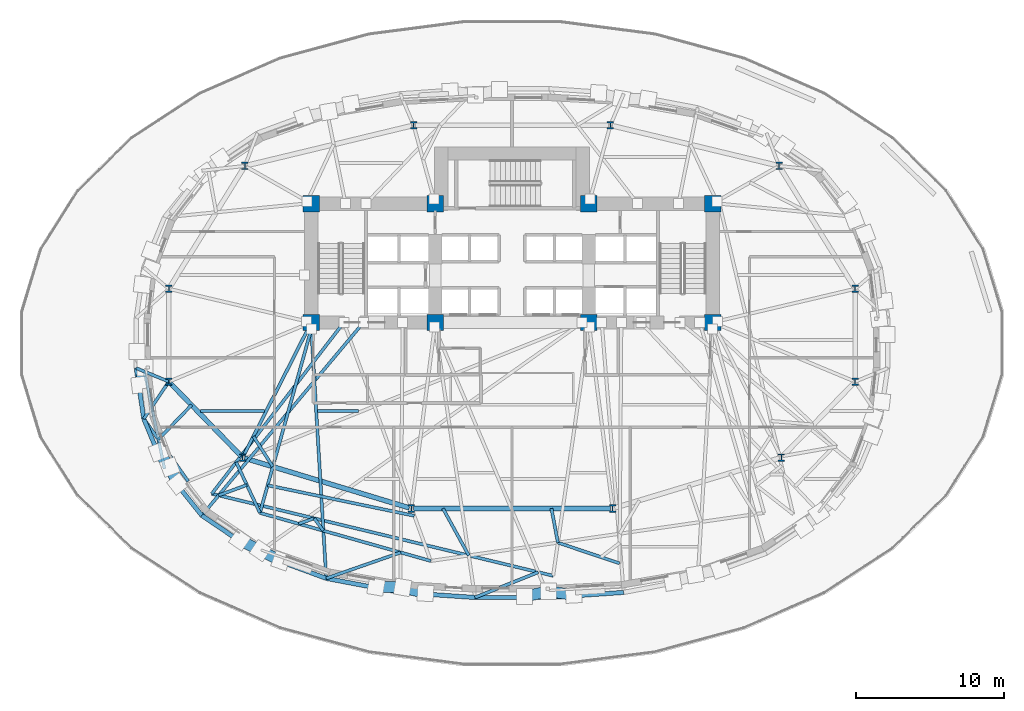
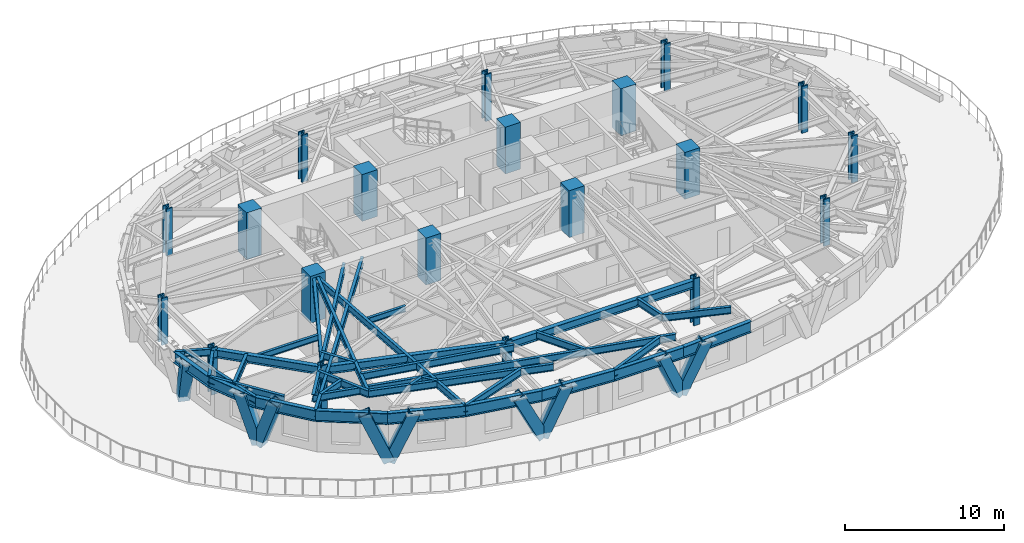
# One storey, part 1 of 14: 37 beams, 20 columns, 9 members.
"""IFC4 building model written with IfcOpenShell, lengths in metres."""

from ifc_helpers import new_model, si_unit, direction, frame, origin, origin_2d, place, context, subcontext, project, spatial, rectangle, hollow_rectangle, i_section, extrude, material, material_profile, profile_set, type_object, element, save


model = new_model("IFC4")

# Units and contexts
model_context = context("Model", 3, precision=1e-05, world=origin(), true_north=direction((0.0, 1.0)))
body_context = subcontext(model_context, "Body", "Model", "MODEL_VIEW")
ifc_project = project(units=[si_unit("LENGTHUNIT", "METRE"), si_unit("AREAUNIT", "SQUARE_METRE"), si_unit("VOLUMEUNIT", "CUBIC_METRE"), si_unit("PLANEANGLEUNIT", "RADIAN"), si_unit("MASSUNIT", "GRAM", prefix="KILO")], contexts=[model_context])

# Site, building, storey
site_placement = place(None, origin())
site = spatial("IfcSite", under=ifc_project, at=site_placement, CompositionType="ELEMENT")
building_placement = place(site_placement, origin())
building = spatial("IfcBuilding", under=site, at=building_placement, Name="Keldmark Tower", CompositionType="ELEMENT")
storey_placement = place(building_placement, frame((0.0, 0.0, 27.0)))
storey = spatial("IfcBuildingStorey", under=building, at=storey_placement, Name="L06", CompositionType="ELEMENT", Elevation=27.0)

# Columns
ifc_material_1 = material(Name="Concrete C70/85", Category="concrete")
ifc_material_profile_1 = material_profile(ifc_material_1, rectangle(XDim=1.10009765625, YDim=1.10009765625, at=origin_2d()), Name="RC1100X1100")
ifc_profile_set_1 = profile_set([ifc_material_profile_1], Name="Concrete C70/85")
column_type_1 = type_object("IfcColumnType", Name="Core Boundary Column RC1100", PredefinedType="COLUMN", material=ifc_profile_set_1)
for number, where, z_axis, x_axis, name in (
    (1, (-13.60009765625, 1.39990234375, 0.0), (0.0, 0.0, 1.0), (1.0, 0.0, 0.0), "L06 Core Boundary Column CC-W1"),
    (2, (-13.60009765625, 9.449951171875, 0.0), (0.0, 0.0, 1.0), (1.0, 0.0, 0.0), "L06 Core Boundary Column CC-W2"),
    (3, (-5.199951171875, 1.39990234375, 0.0), (0.0, 0.0, 1.0), (1.0, 0.0, 0.0), "L06 Core Boundary Column CC-W3"),
    (4, (-5.199951171875, 9.449951171875, 0.0), (0.0, 0.0, 1.0), (1.0, 0.0, 0.0), "L06 Core Boundary Column CC-W4"),
    (5, (5.199951171875, 1.39990234375, 0.0), (0.0, 0.0, 1.0), (1.0, 0.0, 0.0), "L06 Core Boundary Column CC-E1"),
    (6, (5.199951171875, 9.449951171875, 0.0), (0.0, 0.0, 1.0), (1.0, 0.0, 0.0), "L06 Core Boundary Column CC-E2"),
    (7, (13.60009765625, 1.39990234375, 0.0), (0.0, 0.0, 1.0), (1.0, 0.0, 0.0), "L06 Core Boundary Column CC-E3"),
    (8, (13.60009765625, 9.449951171875, 0.0), (0.0, 0.0, 1.0), (1.0, 0.0, 0.0), "L06 Core Boundary Column CC-E4"),
):
    element("IfcColumn", number, at=place(storey_placement, frame(where, z_axis=z_axis, x_axis=x_axis)), inside=storey, type_object=column_type_1, Name=name, PredefinedType="COLUMN", context=body_context, shape_type="SweptSolid", body=[
        extrude(rectangle(XDim=1.10009765625, YDim=1.10009765625, at=origin_2d()), origin(), (0.0, 0.0, 1.0), 3.60009765625),
    ])
ifc_material_2 = material(Name="Steel ASTM A992 Grade 50", Category="steel")
ifc_material_profile_2 = material_profile(ifc_material_2, i_section(OverallWidth=0.43701171875, OverallDepth=0.513916015625, WebThickness=0.060546875, FlangeThickness=0.096923828125, at=origin_2d()), Name="W14X550")
ifc_profile_set_2 = profile_set([ifc_material_profile_2], Name="Steel ASTM A992 Grade 50")
column_type_2 = type_object("IfcColumnType", Name="Tower Gravity Column W14X550", PredefinedType="COLUMN", material=ifc_profile_set_2)
for number, where, z_axis, x_axis, name in (
    (9, (23.25390625, 3.67724609375, 0.0), (0.0, 0.0, 1.0), (1.0, 0.0, 0.0), "L06 Tower Gravity Column TC-E1"),
    (10, (18.09765625, 12.00732421875, 0.0), (0.0, 0.0, 1.0), (1.0, 0.0, 0.0), "L06 Tower Gravity Column TC-E4"),
    (11, (6.6650390625, 14.760009765625, 0.0), (0.0, 0.0, 1.0), (1.0, 0.0, 0.0), "L06 Tower Gravity Column TC-N2"),
    (12, (-6.6650390625, 14.760009765625, 0.0), (0.0, 0.0, 1.0), (1.0, 0.0, 0.0), "L06 Tower Gravity Column TC-N1"),
    (13, (-18.09765625, 12.00732421875, 0.0), (0.0, 0.0, 1.0), (1.0, 0.0, 0.0), "L06 Tower Gravity Column TC-W4"),
    (14, (-23.25390625, 3.67724609375, 0.0), (0.0, 0.0, 1.0), (1.0, 0.0, 0.0), "L06 Tower Gravity Column TC-W1"),
    (15, (-23.25390625, -2.61328125, 0.0), (0.0, 0.0, 1.0), (1.0, 0.0, 0.0), "L06 Tower Gravity Column TC-W5"),
    (16, (-18.252685546875, -7.755615234375, 0.0), (0.0, 0.0, 1.0), (1.0, 0.0, 0.0), "L06 Tower Gravity Column TC-W2"),
    (17, (-6.822021484375, -11.205810546875, 0.0), (0.0, 0.0, 1.0), (1.0, 0.0, 0.0), "L06 Tower Gravity Column TC-W3"),
    (18, (6.822021484375, -11.205810546875, 0.0), (0.0, 0.0, 1.0), (1.0, 0.0, 0.0), "L06 Tower Gravity Column TC-E3"),
    (19, (18.252685546875, -7.755615234375, 0.0), (0.0, 0.0, 1.0), (1.0, 0.0, 0.0), "L06 Tower Gravity Column TC-E2"),
    (20, (23.25390625, -2.61328125, 0.0), (0.0, 0.0, 1.0), (1.0, 0.0, 0.0), "L06 Tower Gravity Column TC-E5"),
):
    element("IfcColumn", number, at=place(storey_placement, frame(where, z_axis=z_axis, x_axis=x_axis)), inside=storey, type_object=column_type_2, Name=name, PredefinedType="COLUMN", context=body_context, shape_type="SweptSolid", body=[
        extrude(i_section(OverallWidth=0.43701171875, OverallDepth=0.513916015625, WebThickness=0.060546875, FlangeThickness=0.096923828125, at=origin_2d()), origin(), (0.0, 0.0, 1.0), 3.60009765625),
    ])

# Beams
ifc_material_3 = material(Name="Steel ASTM A992 Grade 50", Category="steel")
ifc_material_profile_3 = material_profile(ifc_material_3, i_section(OverallWidth=0.19091796875, OverallDepth=0.45703125, WebThickness=0.009033203125, FlangeThickness=0.014404296875, at=origin_2d()), Name="W18X50")
ifc_profile_set_3 = profile_set([ifc_material_profile_3], Name="Steel ASTM A992 Grade 50")
beam_type_1 = type_object("IfcBeamType", Name="Composite Floor Joist W18X50", PredefinedType="JOIST", material=ifc_profile_set_3)
beam_1_placement = place(storey_placement, frame((-21.1064453125, -4.60009765625, 3.17138671875), z_axis=(1.0, 0.0, 0.0), x_axis=(0.0, 1.0, 0.0)))
element("IfcBeam", 21, at=beam_1_placement, inside=storey, type_object=beam_type_1, Name="L06 Composite Floor Joist J08", PredefinedType="JOIST", context=body_context, shape_type="SweptSolid", body=[
    extrude(i_section(OverallWidth=0.19091796875, OverallDepth=0.45703125, WebThickness=0.009033203125, FlangeThickness=0.014404296875, at=origin_2d()), origin(), (0.0, 0.0, 1.0), 4.3466796875),
])
beam_2_placement = place(storey_placement, frame((-13.170654296875, -4.60009765625, 3.17138671875), z_axis=(1.0, 0.0, 0.0), x_axis=(0.0, 1.0, 0.0)))
element("IfcBeam", 22, at=beam_2_placement, inside=storey, type_object=beam_type_1, Name="L06 Composite Floor Joist J09", PredefinedType="JOIST", context=body_context, shape_type="SweptSolid", body=[
    extrude(i_section(OverallWidth=0.19091796875, OverallDepth=0.45703125, WebThickness=0.009033203125, FlangeThickness=0.014404296875, at=origin_2d()), origin(), (0.0, 0.0, 1.0), 2.77685546875),
])

# Members
ifc_material_4 = material(Name="Steel ASTM A572 Grade 50", Category="steel")
ifc_material_profile_4 = material_profile(ifc_material_4, hollow_rectangle(XDim=0.75, YDim=0.75, WallThickness=0.06494140625, at=origin_2d()), Name="BOX750X750X65")
ifc_profile_set_4 = profile_set([ifc_material_profile_4], Name="Steel ASTM A572 Grade 50")
member_type = type_object("IfcMemberType", Name="Diagrid Lower Brace BOX750X750X65", PredefinedType="BRACE", material=ifc_profile_set_4)
member_1_placement = place(storey_placement, frame((-24.870361328125, -1.65625, -0.35009765625), z_axis=(-0.093751320999, -0.307239383491, 0.94700298365), x_axis=(0.956462321707, -0.291855832826, 0.0)))
element("IfcMember", 23, at=member_1_placement, inside=storey, type_object=member_type, Name="L06 Perimeter Diagrid Brace 09A", PredefinedType="BRACE", context=body_context, shape_type="SweptSolid", body=[
    extrude(hollow_rectangle(XDim=0.75, YDim=0.75, WallThickness=0.06494140625, at=origin_2d()), origin(), (0.0, 0.0, 1.0), 3.833251953125),
])
member_2_placement = place(storey_placement, frame((-23.19873046875, -8.397216796875, -0.35009765625), z_axis=(-0.197021500284, 0.266502512462, 0.943482347094), x_axis=(-0.804116453603, -0.594471806771, 0.0)))
element("IfcMember", 24, at=member_2_placement, inside=storey, type_object=member_type, Name="L06 Perimeter Diagrid Brace 09B", PredefinedType="BRACE", context=body_context, shape_type="SweptSolid", body=[
    extrude(hollow_rectangle(XDim=0.75, YDim=0.75, WallThickness=0.06494140625, at=origin_2d()), origin(), (0.0, 0.0, 1.0), 3.84765625),
])
member_3_placement = place(storey_placement, frame((-23.203125, -8.38623046875, -0.35009765625), z_axis=(0.143542674884, -0.301097245153, 0.942727929706), x_axis=(0.902670706302, 0.430331960217, 0.0)))
element("IfcMember", 25, at=member_3_placement, inside=storey, type_object=member_type, Name="L06 Perimeter Diagrid Brace 10A", PredefinedType="BRACE", context=body_context, shape_type="SweptSolid", body=[
    extrude(hollow_rectangle(XDim=0.75, YDim=0.75, WallThickness=0.06494140625, at=origin_2d()), origin(), (0.0, 0.0, 1.0), 3.8505859375),
])
member_4_placement = place(storey_placement, frame((-17.050048828125, -14.063720703125, -0.35009765625), z_axis=(-0.355655807646, 0.182297490589, 0.916666008649), x_axis=(-0.456138130633, -0.889908987359, 0.0)))
element("IfcMember", 26, at=member_4_placement, inside=storey, type_object=member_type, Name="L06 Perimeter Diagrid Brace 10B", PredefinedType="BRACE", context=body_context, shape_type="SweptSolid", body=[
    extrude(hollow_rectangle(XDim=0.75, YDim=0.75, WallThickness=0.06494140625, at=origin_2d()), origin(), (0.0, 0.0, 1.0), 3.960205078125),
])
member_5_placement = place(storey_placement, frame((-17.058349609375, -14.055419921875, -0.35009765625), z_axis=(0.354673875279, -0.176842962883, 0.918113832089), x_axis=(0.44621618645, 0.894925200757, 0.0)))
element("IfcMember", 27, at=member_5_placement, inside=storey, type_object=member_type, Name="L06 Perimeter Diagrid Brace 11A", PredefinedType="BRACE", context=body_context, shape_type="SweptSolid", body=[
    extrude(hollow_rectangle(XDim=0.75, YDim=0.75, WallThickness=0.06494140625, at=origin_2d()), origin(), (0.0, 0.0, 1.0), 3.953857421875),
])
member_6_placement = place(storey_placement, frame((-7.41162109375, -16.5498046875, -0.35009765625), z_axis=(-0.444430691649, 0.006506508702, 0.895789610157), x_axis=(-0.014638528929, -0.999892850995, 0.0)))
element("IfcMember", 28, at=member_6_placement, inside=storey, type_object=member_type, Name="L06 Perimeter Diagrid Brace 11B", PredefinedType="BRACE", context=body_context, shape_type="SweptSolid", body=[
    extrude(hollow_rectangle(XDim=0.75, YDim=0.75, WallThickness=0.06494140625, at=origin_2d()), origin(), (0.0, 0.0, 1.0), 4.052490234375),
])
member_7_placement = place(storey_placement, frame((-7.422607421875, -16.545166015625, -0.35009765625), z_axis=(0.392461171818, -0.10211121654, 0.91408288906), x_axis=(0.251798563078, 0.967779666883, 0.0)))
element("IfcMember", 29, at=member_7_placement, inside=storey, type_object=member_type, Name="L06 Perimeter Diagrid Brace 12A", PredefinedType="BRACE", context=body_context, shape_type="SweptSolid", body=[
    extrude(hollow_rectangle(XDim=0.75, YDim=0.75, WallThickness=0.06494140625, at=origin_2d()), origin(), (0.0, 0.0, 1.0), 3.971435546875),
])
member_8_placement = place(storey_placement, frame((2.461181640625, -16.81591796875, -0.35009765625), z_axis=(-0.405715691944, -0.090770705087, 0.909480871931), x_axis=(0.218332240708, -0.975874496371, 0.0)))
element("IfcMember", 30, at=member_8_placement, inside=storey, type_object=member_type, Name="L06 Perimeter Diagrid Brace 12B", PredefinedType="BRACE", context=body_context, shape_type="SweptSolid", body=[
    extrude(hollow_rectangle(XDim=0.75, YDim=0.75, WallThickness=0.06494140625, at=origin_2d()), origin(), (0.0, 0.0, 1.0), 3.991455078125),
])
member_9_placement = place(storey_placement, frame((2.449462890625, -16.81591796875, -0.35009765625), z_axis=(0.431270972672, -0.061324746676, 0.900135891727), x_axis=(0.140779272948, 0.990041007387, 0.0)))
element("IfcMember", 31, at=member_9_placement, inside=storey, type_object=member_type, Name="L06 Perimeter Diagrid Brace 13A", PredefinedType="BRACE", context=body_context, shape_type="SweptSolid", body=[
    extrude(hollow_rectangle(XDim=0.75, YDim=0.75, WallThickness=0.06494140625, at=origin_2d()), origin(), (0.0, 0.0, 1.0), 4.032958984375),
])

# Beams
ifc_material_5 = material(Name="Steel ASTM A992 Grade 50", Category="steel")
ifc_material_profile_5 = material_profile(ifc_material_5, i_section(OverallWidth=0.323974609375, OverallDepth=0.611083984375, WebThickness=0.0126953125, FlangeThickness=0.01904296875, at=origin_2d()), Name="W24X104")
ifc_profile_set_5 = profile_set([ifc_material_profile_5], Name="Steel ASTM A992 Grade 50")
beam_type_2 = type_object("IfcBeamType", Name="Primary Floor Girder W24X104", PredefinedType="BEAM", material=ifc_profile_set_5)
beam_3_placement = place(storey_placement, frame((-23.156494140625, -2.713623046875, 3.094482421875), z_axis=(0.697210382268, -0.716866572563, 0.0), x_axis=(0.716866572563, 0.697210382268, 0.0)))
element("IfcBeam", 32, at=beam_3_placement, inside=storey, type_object=beam_type_2, Name="L06 Floor Ring Girder FG-R07", PredefinedType="BEAM", context=body_context, shape_type="SweptSolid", body=[
    extrude(i_section(OverallWidth=0.323974609375, OverallDepth=0.611083984375, WebThickness=0.0126953125, FlangeThickness=0.01904296875, at=origin_2d()), origin(), (0.0, 0.0, 1.0), 6.893310546875),
])
beam_4_placement = place(storey_placement, frame((-18.118896484375, -7.796142578125, 3.094482421875), z_axis=(0.957346071406, -0.2889437654, 0.0), x_axis=(0.2889437654, 0.957346071406, 0.0)))
element("IfcBeam", 33, at=beam_4_placement, inside=storey, type_object=beam_type_2, Name="L06 Floor Ring Girder FG-R08", PredefinedType="BEAM", context=body_context, shape_type="SweptSolid", body=[
    extrude(i_section(OverallWidth=0.323974609375, OverallDepth=0.611083984375, WebThickness=0.0126953125, FlangeThickness=0.01904296875, at=origin_2d()), origin(), (0.0, 0.0, 1.0), 11.66015625),
])
beam_5_placement = place(storey_placement, frame((-6.68212890625, -11.205810546875, 3.094482421875), z_axis=(1.0, 0.0, 0.0), x_axis=(0.0, 1.0, 0.0)))
element("IfcBeam", 34, at=beam_5_placement, inside=storey, type_object=beam_type_2, Name="L06 Floor Ring Girder FG-R09", PredefinedType="BEAM", context=body_context, shape_type="SweptSolid", body=[
    extrude(i_section(OverallWidth=0.323974609375, OverallDepth=0.611083984375, WebThickness=0.0126953125, FlangeThickness=0.01904296875, at=origin_2d()), origin(), (0.0, 0.0, 1.0), 13.3642578125),
])
ifc_material_6 = material(Name="Steel ASTM A992 Grade 50", Category="steel")
ifc_material_profile_6 = material_profile(ifc_material_6, i_section(OverallWidth=0.2099609375, OverallDepth=0.537109375, WebThickness=0.010986328125, FlangeThickness=0.017333984375, at=origin_2d()), Name="W21X68")
ifc_profile_set_6 = profile_set([ifc_material_profile_6], Name="Steel ASTM A992 Grade 50")
beam_type_3 = type_object("IfcBeamType", Name="Radial Tie Girder W21X68", PredefinedType="BEAM", material=ifc_profile_set_6)
beam_6_placement = place(storey_placement, frame((-17.522705078125, -6.319091796875, 3.131591796875), z_axis=(0.539720655924, -0.841844174161, 0.0), x_axis=(0.841844174161, 0.539720655924, 0.0)))
element("IfcBeam", 35, at=beam_6_placement, inside=storey, type_object=beam_type_3, Name="L06 Framing Pin Header PH-001", PredefinedType="BEAM", context=body_context, shape_type="SweptSolid", body=[
    extrude(i_section(OverallWidth=0.2099609375, OverallDepth=0.537109375, WebThickness=0.010986328125, FlangeThickness=0.017333984375, at=origin_2d()), origin(), (0.0, 0.0, 1.0), 2.4404296875),
])
beam_7_placement = place(storey_placement, frame((-13.60009765625, 0.949951171875, 3.131591796875), z_axis=(-0.269145999523, -0.963099387883, 0.0), x_axis=(0.963099387883, -0.269145999523, 0.0)))
element("IfcBeam", 36, at=beam_7_placement, inside=storey, type_object=beam_type_3, Name="L06 Sub-Ring Step Girder STP1-M08", PredefinedType="BEAM", context=body_context, shape_type="SweptSolid", body=[
    extrude(i_section(OverallWidth=0.2099609375, OverallDepth=0.537109375, WebThickness=0.010986328125, FlangeThickness=0.017333984375, at=origin_2d()), origin(), (0.0, 0.0, 1.0), 12.931640625),
])
beam_8_placement = place(storey_placement, frame((-16.558349609375, -9.63623046875, 3.131591796875), z_axis=(0.979072569005, -0.203511436098, 0.0), x_axis=(0.203511436098, 0.979072569005, 0.0)))
element("IfcBeam", 37, at=beam_8_placement, inside=storey, type_object=beam_type_3, Name="L06 Framing Pin Header PH-002", PredefinedType="BEAM", context=body_context, shape_type="SweptSolid", body=[
    extrude(i_section(OverallWidth=0.2099609375, OverallDepth=0.537109375, WebThickness=0.010986328125, FlangeThickness=0.017333984375, at=origin_2d()), origin(), (0.0, 0.0, 1.0), 10.150146484375),
])
beam_9_placement = place(storey_placement, frame((-17.08056640625, -11.50439453125, 3.131591796875), z_axis=(0.962623317142, -0.270843772856, 0.0), x_axis=(0.270843772856, 0.962623317142, 0.0)))
element("IfcBeam", 38, at=beam_9_placement, inside=storey, type_object=beam_type_3, Name="L06 Perimeter Collector Ring Beam CRG1-M08", PredefinedType="BEAM", context=body_context, shape_type="SweptSolid", body=[
    extrude(i_section(OverallWidth=0.2099609375, OverallDepth=0.537109375, WebThickness=0.010986328125, FlangeThickness=0.017333984375, at=origin_2d()), origin(), (0.0, 0.0, 1.0), 12.02392578125),
])
beam_10_placement = place(storey_placement, frame((-17.08056640625, -11.50439453125, 3.131591796875), z_axis=(-0.424395961303, 0.905476707613, 0.0), x_axis=(-0.905476707613, -0.424395961303, 0.0)))
element("IfcBeam", 39, at=beam_10_placement, inside=storey, type_object=beam_type_3, Name="L06 Framing Pin Header PH-004", PredefinedType="BEAM", context=body_context, shape_type="SweptSolid", body=[
    extrude(i_section(OverallWidth=0.2099609375, OverallDepth=0.537109375, WebThickness=0.010986328125, FlangeThickness=0.017333984375, at=origin_2d()), origin(), (0.0, 0.0, 1.0), 3.79443359375),
])
beam_11_placement = place(storey_placement, frame((-11.392822265625, 1.39990234375, 3.131591796875), z_axis=(-0.610472152926, -0.792037720378, 0.0), x_axis=(0.792037720378, -0.610472152926, 0.0)))
element("IfcBeam", 40, at=beam_11_placement, inside=storey, type_object=beam_type_3, Name="L06 Sub-Ring Step Girder STP2-M08", PredefinedType="BEAM", context=body_context, shape_type="SweptSolid", body=[
    extrude(i_section(OverallWidth=0.2099609375, OverallDepth=0.537109375, WebThickness=0.010986328125, FlangeThickness=0.017333984375, at=origin_2d()), origin(), (0.0, 0.0, 1.0), 14.65380859375),
])
beam_12_placement = place(storey_placement, frame((2.6728515625, -11.205810546875, 3.131591796875), z_axis=(0.186072991405, -0.982535923959, 0.0), x_axis=(0.982535923959, 0.186072991405, 0.0)))
element("IfcBeam", 41, at=beam_12_placement, inside=storey, type_object=beam_type_3, Name="L06 Framing Pin Header PH-005", PredefinedType="BEAM", context=body_context, shape_type="SweptSolid", body=[
    extrude(i_section(OverallWidth=0.2099609375, OverallDepth=0.537109375, WebThickness=0.010986328125, FlangeThickness=0.017333984375, at=origin_2d()), origin(), (0.0, 0.0, 1.0), 2.353759765625),
])
beam_13_placement = place(storey_placement, frame((-20.338623046875, -10.20654296875, 3.131591796875), z_axis=(0.972303473869, -0.233721960247, 0.0), x_axis=(0.233721960247, 0.972303473869, 0.0)))
element("IfcBeam", 42, at=beam_13_placement, inside=storey, type_object=beam_type_3, Name="L06 Perimeter Collector Ring Beam CRG2-M08", PredefinedType="BEAM", context=body_context, shape_type="SweptSolid", body=[
    extrude(i_section(OverallWidth=0.2099609375, OverallDepth=0.537109375, WebThickness=0.010986328125, FlangeThickness=0.017333984375, at=origin_2d()), origin(), (0.0, 0.0, 1.0), 23.783935546875),
])
beam_14_placement = place(storey_placement, frame((-23.25390625, -2.61328125, 3.131591796875), z_axis=(-0.923575268748, 0.383417165704, 0.0), x_axis=(-0.383417165704, -0.923575268748, 0.0)))
element("IfcBeam", 43, at=beam_14_placement, inside=storey, type_object=beam_type_3, Name="L06 Perimeter Column Bracket RT-17", PredefinedType="BEAM", context=body_context, shape_type="SweptSolid", body=[
    extrude(i_section(OverallWidth=0.2099609375, OverallDepth=0.537109375, WebThickness=0.010986328125, FlangeThickness=0.017333984375, at=origin_2d()), origin(), (0.0, 0.0, 1.0), 2.3876953125),
])
beam_15_placement = place(storey_placement, frame((-23.25390625, -2.61328125, 3.131591796875), z_axis=(-0.55969146011, -0.828701073657, 0.0), x_axis=(0.828701073657, -0.55969146011, 0.0)))
element("IfcBeam", 44, at=beam_15_placement, inside=storey, type_object=beam_type_3, Name="L06 Perimeter Column Bracket RT-18", PredefinedType="BEAM", context=body_context, shape_type="SweptSolid", body=[
    extrude(i_section(OverallWidth=0.2099609375, OverallDepth=0.537109375, WebThickness=0.010986328125, FlangeThickness=0.017333984375, at=origin_2d()), origin(), (0.0, 0.0, 1.0), 3.0302734375),
])
beam_16_placement = place(storey_placement, frame((-24.949951171875, -5.12451171875, 3.131591796875), z_axis=(0.578604921516, -0.815607960234, 0.0), x_axis=(0.815607960234, 0.578604921516, 0.0)))
element("IfcBeam", 45, at=beam_16_placement, inside=storey, type_object=beam_type_3, Name="L06 Local Collector Chord RT-19C", PredefinedType="BEAM", context=body_context, shape_type="SweptSolid", body=[
    extrude(i_section(OverallWidth=0.2099609375, OverallDepth=0.537109375, WebThickness=0.010986328125, FlangeThickness=0.017333984375, at=origin_2d()), origin(), (0.0, 0.0, 1.0), 5.197998046875),
])
beam_17_placement = place(storey_placement, frame((-21.714599609375, -4.196044921875, 3.131591796875), z_axis=(-0.694493391567, -0.71949908205, 0.0), x_axis=(0.71949908205, -0.694493391567, 0.0)))
element("IfcBeam", 46, at=beam_17_placement, inside=storey, type_object=beam_type_3, Name="L06 Framing Pin Header PH-012", PredefinedType="BEAM", context=body_context, shape_type="SweptSolid", body=[
    extrude(i_section(OverallWidth=0.2099609375, OverallDepth=0.537109375, WebThickness=0.010986328125, FlangeThickness=0.017333984375, at=origin_2d()), origin(), (0.0, 0.0, 1.0), 3.231689453125),
])
beam_18_placement = place(storey_placement, frame((-24.907958984375, -1.926513671875, 3.131591796875), z_axis=(0.2022267578, -0.979338725074, 0.0), x_axis=(0.979338725074, 0.2022267578, 0.0)))
element("IfcBeam", 47, at=beam_18_placement, inside=storey, type_object=beam_type_3, Name="L06 Perimeter Radial Tie Girder RT-19", PredefinedType="BEAM", context=body_context, shape_type="SweptSolid", body=[
    extrude(i_section(OverallWidth=0.2099609375, OverallDepth=0.537109375, WebThickness=0.010986328125, FlangeThickness=0.017333984375, at=origin_2d()), origin(), (0.0, 0.0, 1.0), 6.734130859375),
])
beam_19_placement = place(storey_placement, frame((-17.96630859375, -9.61474609375, 3.131591796875), z_axis=(-0.938576269133, -0.345071857763, 0.0), x_axis=(0.345071857763, -0.938576269133, 0.0)))
element("IfcBeam", 48, at=beam_19_placement, inside=storey, type_object=beam_type_3, Name="L06 Framing Pin Header PH-013", PredefinedType="BEAM", context=body_context, shape_type="SweptSolid", body=[
    extrude(i_section(OverallWidth=0.2099609375, OverallDepth=0.537109375, WebThickness=0.010986328125, FlangeThickness=0.017333984375, at=origin_2d()), origin(), (0.0, 0.0, 1.0), 2.0361328125),
])
beam_20_placement = place(storey_placement, frame((-10.064208984375, 1.39990234375, 3.131591796875), z_axis=(-0.642060311947, -0.766654130506, 0.0), x_axis=(0.766654130506, -0.642060311947, 0.0)))
element("IfcBeam", 49, at=beam_20_placement, inside=storey, type_object=beam_type_3, Name="L06 Perimeter Radial Tie Girder RT-20", PredefinedType="BEAM", context=body_context, shape_type="SweptSolid", body=[
    extrude(i_section(OverallWidth=0.2099609375, OverallDepth=0.537109375, WebThickness=0.010986328125, FlangeThickness=0.017333984375, at=origin_2d()), origin(), (0.0, 0.0, 1.0), 17.059326171875),
])
beam_21_placement = place(storey_placement, frame((-13.401123046875, -11.874267578125, 3.131591796875), z_axis=(-0.94338604267, -0.331696811101, 0.0), x_axis=(0.331696811101, -0.94338604267, 0.0)))
element("IfcBeam", 50, at=beam_21_placement, inside=storey, type_object=beam_type_3, Name="L06 Framing Pin Header PH-014", PredefinedType="BEAM", context=body_context, shape_type="SweptSolid", body=[
    extrude(i_section(OverallWidth=0.2099609375, OverallDepth=0.537109375, WebThickness=0.010986328125, FlangeThickness=0.017333984375, at=origin_2d()), origin(), (0.0, 0.0, 1.0), 1.1142578125),
])
beam_22_placement = place(storey_placement, frame((-13.401123046875, -11.874267578125, 3.131591796875), z_axis=(0.594679992296, -0.803962503332, 0.0), x_axis=(0.803962503332, 0.594679992296, 0.0)))
element("IfcBeam", 51, at=beam_22_placement, inside=storey, type_object=beam_type_3, Name="L06 Framing Pin Header PH-015", PredefinedType="BEAM", context=body_context, shape_type="SweptSolid", body=[
    extrude(i_section(OverallWidth=0.2099609375, OverallDepth=0.537109375, WebThickness=0.010986328125, FlangeThickness=0.017333984375, at=origin_2d()), origin(), (0.0, 0.0, 1.0), 1.045166015625),
])
beam_23_placement = place(storey_placement, frame((-13.60009765625, 0.949951171875, 3.131591796875), z_axis=(0.059942314959, -0.998201842754, 0.0), x_axis=(0.998201842754, 0.059942314959, 0.0)))
element("IfcBeam", 52, at=beam_23_placement, inside=storey, type_object=beam_type_3, Name="L06 Perimeter Radial Tie Girder RT-22", PredefinedType="BEAM", context=body_context, shape_type="SweptSolid", body=[
    extrude(i_section(OverallWidth=0.2099609375, OverallDepth=0.537109375, WebThickness=0.010986328125, FlangeThickness=0.017333984375, at=origin_2d()), origin(), (0.0, 0.0, 1.0), 16.923095703125),
])
beam_24_placement = place(storey_placement, frame((-12.585693359375, -15.942626953125, 3.131591796875), z_axis=(0.944396175339, 0.328809768719, 0.0), x_axis=(-0.328809768719, 0.944396175339, 0.0)))
element("IfcBeam", 53, at=beam_24_placement, inside=storey, type_object=beam_type_3, Name="L06 Framing Pin Header PH-016", PredefinedType="BEAM", context=body_context, shape_type="SweptSolid", body=[
    extrude(i_section(OverallWidth=0.2099609375, OverallDepth=0.537109375, WebThickness=0.010986328125, FlangeThickness=0.017333984375, at=origin_2d()), origin(), (0.0, 0.0, 1.0), 5.337890625),
])
beam_25_placement = place(storey_placement, frame((-4.677490234375, -11.205810546875, 3.131591796875), z_axis=(0.481147469116, -0.87663967111, 0.0), x_axis=(0.87663967111, 0.481147469116, 0.0)))
element("IfcBeam", 54, at=beam_25_placement, inside=storey, type_object=beam_type_3, Name="L06 Framing Pin Header PH-017", PredefinedType="BEAM", context=body_context, shape_type="SweptSolid", body=[
    extrude(i_section(OverallWidth=0.2099609375, OverallDepth=0.537109375, WebThickness=0.010986328125, FlangeThickness=0.017333984375, at=origin_2d()), origin(), (0.0, 0.0, 1.0), 3.634033203125),
])
beam_26_placement = place(storey_placement, frame((-2.507568359375, -17.23779296875, 3.131591796875), z_axis=(0.928575091091, 0.371144581268, 0.0), x_axis=(-0.371144581268, 0.928575091091, 0.0)))
element("IfcBeam", 55, at=beam_26_placement, inside=storey, type_object=beam_type_3, Name="L06 Framing Pin Header PH-018", PredefinedType="BEAM", context=body_context, shape_type="SweptSolid", body=[
    extrude(i_section(OverallWidth=0.2099609375, OverallDepth=0.537109375, WebThickness=0.010986328125, FlangeThickness=0.017333984375, at=origin_2d()), origin(), (0.0, 0.0, 1.0), 4.618408203125),
])
beam_27_placement = place(storey_placement, frame((3.11083984375, -13.5185546875, 3.131591796875), z_axis=(0.947630527755, -0.319368725561, 0.0), x_axis=(0.319368725561, 0.947630527755, 0.0)))
element("IfcBeam", 56, at=beam_27_placement, inside=storey, type_object=beam_type_3, Name="L06 Local Collector Chord RT-26C", PredefinedType="BEAM", context=body_context, shape_type="SweptSolid", body=[
    extrude(i_section(OverallWidth=0.2099609375, OverallDepth=0.537109375, WebThickness=0.010986328125, FlangeThickness=0.017333984375, at=origin_2d()), origin(), (0.0, 0.0, 1.0), 4.40478515625),
])
ifc_material_7 = material(Name="Steel ASTM A992 Grade 50", Category="steel")
ifc_material_profile_7 = material_profile(ifc_material_7, i_section(OverallWidth=0.214111328125, OverallDepth=0.549072265625, WebThickness=0.0146484375, FlangeThickness=0.023681640625, at=origin_2d()), Name="W21X93")
ifc_profile_set_7 = profile_set([ifc_material_profile_7], Name="Steel ASTM A992 Grade 50")
beam_type_4 = type_object("IfcBeamType", Name="Radial Tie Girder W21X93", PredefinedType="BEAM", material=ifc_profile_set_7)
beam_28_placement = place(storey_placement, frame((-18.189453125, -7.630859375, 3.12548828125), z_axis=(0.453037526986, 0.891491446478, 0.0), x_axis=(-0.891491446478, 0.453037526986, 0.0)))
element("IfcBeam", 57, at=beam_28_placement, inside=storey, type_object=beam_type_4, Name="L06 Floor Radial Girder FG-C08", PredefinedType="BEAM", context=body_context, shape_type="SweptSolid", body=[
    extrude(i_section(OverallWidth=0.214111328125, OverallDepth=0.549072265625, WebThickness=0.0146484375, FlangeThickness=0.023681640625, at=origin_2d()), origin(), (0.0, 0.0, 1.0), 9.81005859375),
])
ifc_material_8 = material(Name="Steel ASTM A992 Grade 50", Category="steel")
ifc_material_profile_8 = material_profile(ifc_material_8, i_section(OverallWidth=0.2919921875, OverallDepth=0.85888671875, WebThickness=0.01708984375, FlangeThickness=0.031005859375, at=origin_2d()), Name="W33X169")
ifc_profile_set_8 = profile_set([ifc_material_profile_8], Name="Steel ASTM A992 Grade 50")
beam_type_5 = type_object("IfcBeamType", Name="Spandrel Ring Beam W33X169", PredefinedType="SPANDREL", material=ifc_profile_set_8)
beam_29_placement = place(storey_placement, frame((-25.459228515625, -1.69775390625, 2.970458984375), z_axis=(0.147003256829, -0.989136008081, 0.0), x_axis=(0.989136008081, 0.147003256829, 0.0)))
element("IfcBeam", 58, at=beam_29_placement, inside=storey, type_object=beam_type_5, Name="L06 Perimeter Spandrel Ring Beam SRB-17", PredefinedType="SPANDREL", context=body_context, shape_type="SweptSolid", body=[
    extrude(i_section(OverallWidth=0.2919921875, OverallDepth=0.85888671875, WebThickness=0.01708984375, FlangeThickness=0.031005859375, at=origin_2d()), origin(), (0.0, 0.0, 1.0), 3.46435546875),
])
beam_30_placement = place(storey_placement, frame((-24.949951171875, -5.12451171875, 2.970458984375), z_axis=(0.381925438614, -0.92419313963, 0.0), x_axis=(0.92419313963, 0.381925438614, 0.0)))
element("IfcBeam", 59, at=beam_30_placement, inside=storey, type_object=beam_type_5, Name="L06 Perimeter Spandrel Ring Beam SRB-18", PredefinedType="SPANDREL", context=body_context, shape_type="SweptSolid", body=[
    extrude(i_section(OverallWidth=0.2919921875, OverallDepth=0.85888671875, WebThickness=0.01708984375, FlangeThickness=0.031005859375, at=origin_2d()), origin(), (0.0, 0.0, 1.0), 3.675537109375),
])
beam_31_placement = place(storey_placement, frame((-23.546142578125, -8.521484375, 2.970458984375), z_axis=(0.625151279322, -0.780503605348, 0.0), x_axis=(0.780503605348, 0.625151279322, 0.0)))
element("IfcBeam", 60, at=beam_31_placement, inside=storey, type_object=beam_type_5, Name="L06 Perimeter Spandrel Ring Beam SRB-19", PredefinedType="SPANDREL", context=body_context, shape_type="SweptSolid", body=[
    extrude(i_section(OverallWidth=0.2919921875, OverallDepth=0.85888671875, WebThickness=0.01708984375, FlangeThickness=0.031005859375, at=origin_2d()), origin(), (0.0, 0.0, 1.0), 4.045166015625),
])
beam_32_placement = place(storey_placement, frame((-21.017333984375, -11.6787109375, 2.970458984375), z_axis=(0.828051238664, -0.560652429003, 0.0), x_axis=(0.560652429003, 0.828051238664, 0.0)))
element("IfcBeam", 61, at=beam_32_placement, inside=storey, type_object=beam_type_5, Name="L06 Perimeter Spandrel Ring Beam SRB-20", PredefinedType="SPANDREL", context=body_context, shape_type="SweptSolid", body=[
    extrude(i_section(OverallWidth=0.2919921875, OverallDepth=0.85888671875, WebThickness=0.01708984375, FlangeThickness=0.031005859375, at=origin_2d()), origin(), (0.0, 0.0, 1.0), 4.551513671875),
])
beam_33_placement = place(storey_placement, frame((-17.24853515625, -14.23046875, 2.970458984375), z_axis=(0.938716826598, -0.344689308599, 0.0), x_axis=(0.344689308599, 0.938716826598, 0.0)))
element("IfcBeam", 62, at=beam_33_placement, inside=storey, type_object=beam_type_5, Name="L06 Perimeter Spandrel Ring Beam SRB-21", PredefinedType="SPANDREL", context=body_context, shape_type="SweptSolid", body=[
    extrude(i_section(OverallWidth=0.2919921875, OverallDepth=0.85888671875, WebThickness=0.01708984375, FlangeThickness=0.031005859375, at=origin_2d()), origin(), (0.0, 0.0, 1.0), 4.96728515625),
])
beam_34_placement = place(storey_placement, frame((-12.585693359375, -15.942626953125, 2.970458984375), z_axis=(0.982525136481, -0.186129944347, 0.0), x_axis=(0.186129944347, 0.982525136481, 0.0)))
element("IfcBeam", 63, at=beam_34_placement, inside=storey, type_object=beam_type_5, Name="L06 Perimeter Spandrel Ring Beam SRB-22", PredefinedType="SPANDREL", context=body_context, shape_type="SweptSolid", body=[
    extrude(i_section(OverallWidth=0.2919921875, OverallDepth=0.85888671875, WebThickness=0.01708984375, FlangeThickness=0.031005859375, at=origin_2d()), origin(), (0.0, 0.0, 1.0), 5.106201171875),
])
beam_35_placement = place(storey_placement, frame((-7.568603515625, -16.89306640625, 2.970458984375), z_axis=(0.997688292846, -0.067956385408, 0.0), x_axis=(0.067956385408, 0.997688292846, 0.0)))
element("IfcBeam", 64, at=beam_35_placement, inside=storey, type_object=beam_type_5, Name="L06 Perimeter Spandrel Ring Beam SRB-23", PredefinedType="SPANDREL", context=body_context, shape_type="SweptSolid", body=[
    extrude(i_section(OverallWidth=0.2919921875, OverallDepth=0.85888671875, WebThickness=0.01708984375, FlangeThickness=0.031005859375, at=origin_2d()), origin(), (0.0, 0.0, 1.0), 5.07275390625),
])
beam_36_placement = place(storey_placement, frame((-2.507568359375, -17.23779296875, 2.970458984375), z_axis=(1.0, 0.0, 0.0), x_axis=(0.0, 1.0, 0.0)))
element("IfcBeam", 65, at=beam_36_placement, inside=storey, type_object=beam_type_5, Name="L06 Perimeter Spandrel Ring Beam SRB-24", PredefinedType="SPANDREL", context=body_context, shape_type="SweptSolid", body=[
    extrude(i_section(OverallWidth=0.2919921875, OverallDepth=0.85888671875, WebThickness=0.01708984375, FlangeThickness=0.031005859375, at=origin_2d()), origin(), (0.0, 0.0, 1.0), 5.01513671875),
])
beam_37_placement = place(storey_placement, frame((2.507568359375, -17.23779296875, 2.970458984375), z_axis=(0.997688292846, 0.067956385408, 0.0), x_axis=(-0.067956385408, 0.997688292846, 0.0)))
element("IfcBeam", 66, at=beam_37_placement, inside=storey, type_object=beam_type_5, Name="L06 Perimeter Spandrel Ring Beam SRB-25", PredefinedType="SPANDREL", context=body_context, shape_type="SweptSolid", body=[
    extrude(i_section(OverallWidth=0.2919921875, OverallDepth=0.85888671875, WebThickness=0.01708984375, FlangeThickness=0.031005859375, at=origin_2d()), origin(), (0.0, 0.0, 1.0), 5.07275390625),
])

save(model, "model.ifc")
